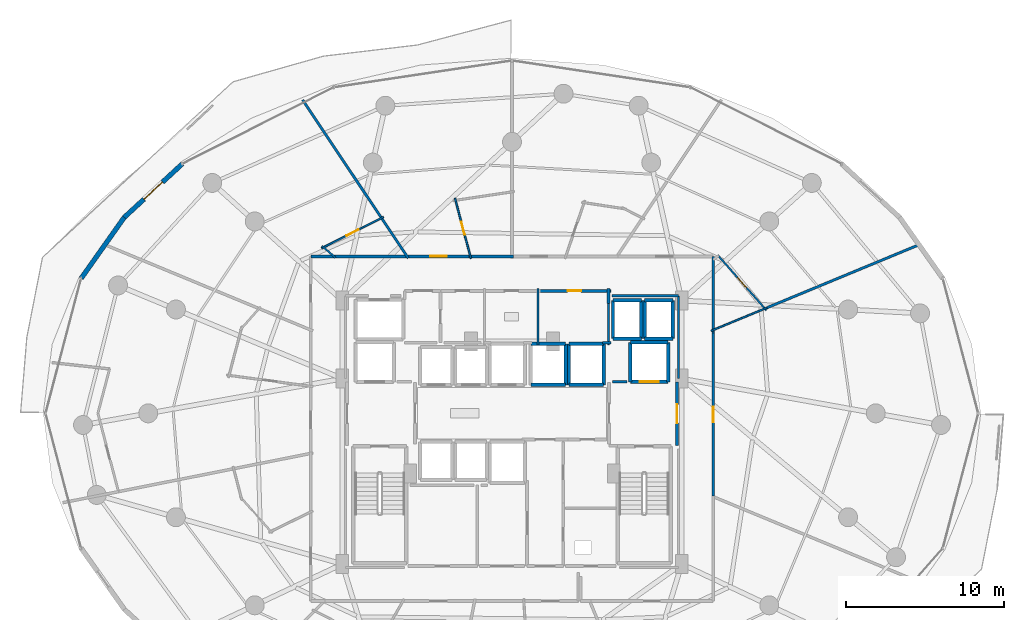
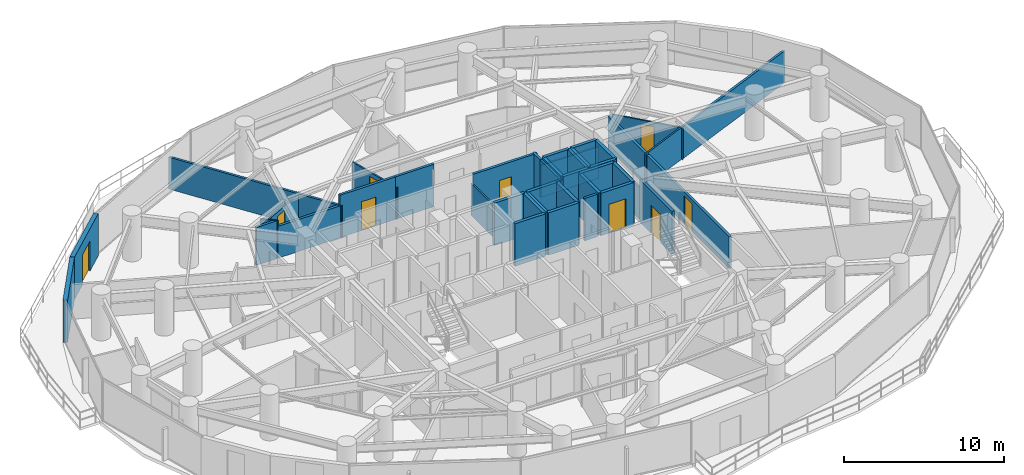
# One storey, part 30 of 35: 44 walls, 9 doors, 9 openings.
"""IFC4 building model written with IfcOpenShell, lengths in metres."""

from ifc_helpers import new_model, si_unit, direction, frame, frame_2d, origin, place, context, subcontext, project, spatial, rectangle, extrude, material, layer, layer_set, type_object, element, fill, save


model = new_model("IFC4")

# Units and contexts
model_context = context("Model", 3, precision=1e-05, world=origin(), true_north=direction((0.0, 1.0)))
body_context = subcontext(model_context, "Body", "Model", "MODEL_VIEW")
ifc_project = project(units=[si_unit("LENGTHUNIT", "METRE"), si_unit("AREAUNIT", "SQUARE_METRE"), si_unit("VOLUMEUNIT", "CUBIC_METRE"), si_unit("PLANEANGLEUNIT", "RADIAN"), si_unit("MASSUNIT", "GRAM", prefix="KILO")], contexts=[model_context])

# Site, building, storey
site_placement = place(None, origin())
site = spatial("IfcSite", under=ifc_project, at=site_placement, CompositionType="ELEMENT")
building_placement = place(site_placement, origin())
building = spatial("IfcBuilding", under=site, at=building_placement, Name="Vorneva Point Tower", CompositionType="ELEMENT")
storey_placement = place(building_placement, frame((0.0, 0.0, 52.0)))
storey = spatial("IfcBuildingStorey", under=building, at=storey_placement, Name="L13", CompositionType="ELEMENT", Elevation=52.0)

# Wall, opening, door
ifc_material_1 = material(Name="Concrete B60 (C50/60)", Category="concrete")
ifc_layer_1 = layer(ifc_material_1, 0.5)
ifc_layer_set_1 = layer_set([ifc_layer_1], Name="Concrete B60 (C50/60)")
wall_type_1 = type_object("IfcWallType", Name="WL-CORE-500", PredefinedType="SHEAR", material=ifc_layer_set_1)
wall_1_placement = place(storey_placement, frame((45.5, 28.0, 0.0), z_axis=(0.0, 0.0, 1.0), x_axis=(1.0, 0.0, 0.0)))
wall_1 = element("IfcWall", 1, at=wall_1_placement, inside=storey, type_object=wall_type_1, Name="L13 Lift FFL2 Shaft Wall -Y", PredefinedType="SHEAR", context=body_context, shape_type="SweptSolid", body=[
    extrude(rectangle(XDim=2.39990234375, YDim=0.219970703125, at=frame_2d((1.199951171875, 0.0))), origin(), (0.0, 0.0, 1.0), 3.239990234375),
])
opening_1_placement = place(wall_1_placement, frame((0.60009765625, 0.0, 0.0)))
opening_1 = element("IfcOpeningElement", 2, at=opening_1_placement, cuts=wall_1, Name="Opening LD-02", PredefinedType="OPENING", context=body_context, shape_type="SweptSolid", body=[
    extrude(rectangle(XDim=1.199951171875, YDim=2.199951171875, at=frame_2d((0.60009765625, 1.10009765625))), frame((0.0, 0.125, 0.0), z_axis=(0.0, -1.0, 0.0), x_axis=(1.0, 0.0, 0.0)), (0.0, 0.0, 1.0), 0.249755859375),
])
ifc_material_2 = material(Name="Brushed stainless steel S304", Category="steel")
door_type_1 = type_object("IfcDoorType", Name="LD-FIRE-1200", OperationType="SLIDING_TO_LEFT", PredefinedType="DOOR", material=ifc_material_2)
door_1_placement = place(opening_1_placement, origin())
door_1 = element("IfcDoor", 3, at=door_1_placement, inside=storey, type_object=door_type_1, Name="L13 Lift FFL2 Sliding Landing Door", OperationType="SLIDING_TO_LEFT", OverallHeight=2.199951171875, OverallWidth=1.199951171875, PredefinedType="DOOR", context=body_context, shape_type="SweptSolid", body=[
    extrude(rectangle(XDim=1.199951171875, YDim=2.199951171875, at=frame_2d((0.60009765625, 1.10009765625))), frame((0.0, 0.02490234375, 0.0), z_axis=(0.0, -1.0, 0.0), x_axis=(1.0, 0.0, 0.0)), (0.0, 0.0, 1.0), 0.050048828125),
])
fill(opening_1, door_1)

# Walls
wall_2_placement = place(storey_placement, frame((47.89990234375, 28.0, 0.0), z_axis=(0.0, 0.0, 1.0), x_axis=(0.0, 1.0, 0.0)))
element("IfcWall", 4, at=wall_2_placement, inside=storey, type_object=wall_type_1, Name="L13 Lift FFL2 Shaft Wall +X", PredefinedType="SHEAR", context=body_context, shape_type="SweptSolid", body=[
    extrude(rectangle(XDim=2.5, YDim=0.219970703125, at=frame_2d((1.25, 0.0))), origin(), (0.0, 0.0, 1.0), 3.239990234375),
])
wall_3_placement = place(storey_placement, frame((47.89990234375, 30.5, 0.0), z_axis=(0.0, 0.0, 1.0), x_axis=(-1.0, 0.0, 0.0)))
element("IfcWall", 5, at=wall_3_placement, inside=storey, type_object=wall_type_1, Name="L13 Lift FFL2 Shaft Wall +Y", PredefinedType="SHEAR", context=body_context, shape_type="SweptSolid", body=[
    extrude(rectangle(XDim=2.39990234375, YDim=0.219970703125, at=frame_2d((1.199951171875, 0.0))), origin(), (0.0, 0.0, 1.0), 3.239990234375),
])
wall_4_placement = place(storey_placement, frame((45.5, 30.5, 0.0), z_axis=(0.0, 0.0, 1.0), x_axis=(0.0, -1.0, 0.0)))
element("IfcWall", 6, at=wall_4_placement, inside=storey, type_object=wall_type_1, Name="L13 Lift FFL2 Shaft Wall -X", PredefinedType="SHEAR", context=body_context, shape_type="SweptSolid", body=[
    extrude(rectangle(XDim=2.5, YDim=0.219970703125, at=frame_2d((1.25, 0.0))), origin(), (0.0, 0.0, 1.0), 3.239990234375),
])

# Wall, opening, door
ifc_material_3 = material(Name="Precast concrete B50 (C40/50)", Category="concrete")
ifc_layer_2 = layer(ifc_material_3, 0.300048828125)
ifc_layer_set_2 = layer_set([ifc_layer_2], Name="Precast concrete B50 (C40/50)")
wall_type_2 = type_object("IfcWallType", Name="WL-EXT-300", PredefinedType="STANDARD", material=ifc_layer_set_2)
wall_5_placement = place(storey_placement, frame((17.10498046875, 41.8037109375, 0.0), z_axis=(0.0, 0.0, 1.0), x_axis=(-0.735342629635, -0.677695519419, 0.0)))
wall_5 = element("IfcWall", 7, at=wall_5_placement, inside=storey, type_object=wall_type_2, Name="L13 Pale-Metal Facade Spandrel Wall 07.1", PredefinedType="STANDARD", context=body_context, shape_type="SweptSolid", body=[
    extrude(rectangle(XDim=4.997314453125, YDim=0.300048828125, at=frame_2d((2.49853515625, 0.0))), origin(), (0.0, 0.0, 1.0), 3.239990234375),
])
opening_2_placement = place(wall_5_placement, frame((1.69873046875, 0.0, 0.0)))
opening_2 = element("IfcOpeningElement", 8, at=opening_2_placement, cuts=wall_5, Name="Opening BD-01", PredefinedType="OPENING", context=body_context, shape_type="SweptSolid", body=[
    extrude(rectangle(XDim=1.60009765625, YDim=2.300048828125, at=frame_2d((0.800048828125, 1.14990234375))), frame((0.0, 0.1650390625, 0.0), z_axis=(0.0, -1.0, 0.0), x_axis=(1.0, 0.0, 0.0)), (0.0, 0.0, 1.0), 0.329833984375),
])
ifc_material_4 = material(Name="Pale anodised aluminium", Category="aluminium")
door_type_2 = type_object("IfcDoorType", Name="DR-BAL-1600", OperationType="SLIDING_TO_LEFT", PredefinedType="DOOR", material=ifc_material_4)
door_2_placement = place(opening_2_placement, origin())
door_2 = element("IfcDoor", 9, at=door_2_placement, inside=storey, type_object=door_type_2, Name="L13 Balcony Terrace Access Door 07", OperationType="SLIDING_TO_LEFT", OverallHeight=2.300048828125, OverallWidth=1.60009765625, PredefinedType="DOOR", context=body_context, shape_type="SweptSolid", body=[
    extrude(rectangle(XDim=1.60009765625, YDim=2.300048828125, at=frame_2d((0.800048828125, 1.14990234375))), frame((0.0, 0.02490234375, 0.0), z_axis=(0.0, -1.0, 0.0), x_axis=(1.0, 0.0, 0.0)), (0.0, 0.0, 1.0), 0.050048828125),
])
fill(opening_2, door_2)

# Walls
wall_6_placement = place(storey_placement, frame((13.43017578125, 38.4169921875, 0.0), z_axis=(0.0, 0.0, 1.0), x_axis=(-0.577130815624, -0.816651713803, 0.0)))
element("IfcWall", 10, at=wall_6_placement, inside=storey, type_object=wall_type_2, Name="L13 Pale-Metal Facade Spandrel Wall 07.2", PredefinedType="STANDARD", context=body_context, shape_type="SweptSolid", body=[
    extrude(rectangle(XDim=4.7314453125, YDim=0.300048828125, at=frame_2d((2.36572265625, 0.0))), origin(), (0.0, 0.0, 1.0), 3.239990234375),
])
ifc_material_5 = material(Name="Fire-rated acoustic gypsum stud partition", Category="gypsum")
ifc_layer_3 = layer(ifc_material_5, 0.110107421875)
ifc_layer_set_3 = layer_set([ifc_layer_3], Name="Fire-rated acoustic gypsum stud partition")
wall_type_3 = type_object("IfcWallType", Name="WL-PART-110", PredefinedType="PARTITIONING", material=ifc_layer_set_3)
wall_7_placement = place(storey_placement, frame((39.64990234375, 30.340087890625, 0.0), z_axis=(0.0, 0.0, 1.0), x_axis=(0.0, 1.0, 0.0)))
element("IfcWall", 11, at=wall_7_placement, inside=storey, type_object=wall_type_3, Name="L13 Interior Partition 019", PredefinedType="PARTITIONING", context=body_context, shape_type="SweptSolid", body=[
    extrude(rectangle(XDim=3.559814453125, YDim=0.110107421875, at=frame_2d((1.77978515625, 0.0))), origin(), (0.0, 0.0, 1.0), 2.431884765625),
])

# Wall, opening, door
wall_8_placement = place(storey_placement, frame((51.03125, 36.02978515625, 0.0), z_axis=(0.0, 0.0, 1.0), x_axis=(0.662106207726, -0.749410014405, 0.0)))
wall_8 = element("IfcWall", 12, at=wall_8_placement, inside=storey, type_object=wall_type_3, Name="L13 Interior Partition 050", PredefinedType="PARTITIONING", context=body_context, shape_type="SweptSolid", body=[
    extrude(rectangle(XDim=4.66455078125, YDim=0.110107421875, at=frame_2d((2.332275390625, 0.0))), origin(), (0.0, 0.0, 1.0), 2.431884765625),
])
opening_3_placement = place(wall_8_placement, frame((1.9072265625, 0.0, 0.0)))
opening_3 = element("IfcOpeningElement", 13, at=opening_3_placement, cuts=wall_8, Name="Opening ID-02", PredefinedType="OPENING", context=body_context, shape_type="SweptSolid", body=[
    extrude(rectangle(XDim=0.85009765625, YDim=2.10009765625, at=frame_2d((0.425048828125, 1.050048828125))), frame((0.0, 0.06982421875, 0.0), z_axis=(0.0, -1.0, 0.0), x_axis=(1.0, 0.0, 0.0)), (0.0, 0.0, 1.0), 0.139892578125),
])
ifc_material_6 = material(Name="Engineered oak fire-rated door leaf", Category="wood")
door_type_3 = type_object("IfcDoorType", Name="DR-BATH-850", OperationType="NOTDEFINED", PredefinedType="DOOR", material=ifc_material_6)
door_3_placement = place(opening_3_placement, origin())
door_3 = element("IfcDoor", 14, at=door_3_placement, inside=storey, type_object=door_type_3, Name="L13 Door Corner Suite L13-01 / En-Suite Bathroom L13-01", OperationType="SINGLE_SWING_LEFT", OverallHeight=2.10009765625, OverallWidth=0.85009765625, PredefinedType="DOOR", context=body_context, shape_type="SweptSolid", body=[
    extrude(rectangle(XDim=0.85009765625, YDim=2.10009765625, at=frame_2d((0.425048828125, 1.050048828125))), frame((0.0, 0.02490234375, 0.0), z_axis=(0.0, -1.0, 0.0), x_axis=(1.0, 0.0, 0.0)), (0.0, 0.0, 1.0), 0.050048828125),
])
fill(opening_3, door_3)

# Wall
wall_9_placement = place(storey_placement, frame((54.15625, 32.692626953125, 0.0), z_axis=(0.0, 0.0, 1.0), x_axis=(-0.923803754276, -0.382866326002, 0.0)))
element("IfcWall", 15, at=wall_9_placement, inside=storey, type_object=wall_type_3, Name="L13 Interior Partition 051", PredefinedType="PARTITIONING", context=body_context, shape_type="SweptSolid", body=[
    extrude(rectangle(XDim=3.8271484375, YDim=0.110107421875, at=frame_2d((1.91357421875, 0.0))), origin(), (0.0, 0.0, 1.0), 2.431884765625),
])

# Wall, opening, door
wall_10_placement = place(storey_placement, frame((35.39794921875, 35.814697265625, 0.0), z_axis=(0.0, 0.0, 1.0), x_axis=(-0.256396995263, 0.966571560113, 0.0)))
wall_10 = element("IfcWall", 16, at=wall_10_placement, inside=storey, type_object=wall_type_3, Name="L13 Interior Partition 060", PredefinedType="PARTITIONING", context=body_context, shape_type="SweptSolid", body=[
    extrude(rectangle(XDim=3.95068359375, YDim=0.110107421875, at=frame_2d((1.975341796875, 0.0))), origin(), (0.0, 0.0, 1.0), 2.431884765625),
])
opening_4_placement = place(wall_10_placement, frame((1.55029296875, 0.0, 0.0)))
opening_4 = element("IfcOpeningElement", 17, at=opening_4_placement, cuts=wall_10, Name="Opening ID-02", PredefinedType="OPENING", context=body_context, shape_type="SweptSolid", body=[
    extrude(rectangle(XDim=0.85009765625, YDim=2.10009765625, at=frame_2d((0.425048828125, 1.050048828125))), frame((0.0, 0.06982421875, 0.0), z_axis=(0.0, -1.0, 0.0), x_axis=(1.0, 0.0, 0.0)), (0.0, 0.0, 1.0), 0.139892578125),
])
door_4_placement = place(opening_4_placement, origin())
door_4 = element("IfcDoor", 18, at=door_4_placement, inside=storey, type_object=door_type_3, Name="L13 Door Executive Suite L13-03 / En-Suite Bathroom L13-03", OperationType="SINGLE_SWING_LEFT", OverallHeight=2.10009765625, OverallWidth=0.85009765625, PredefinedType="DOOR", context=body_context, shape_type="SweptSolid", body=[
    extrude(rectangle(XDim=0.85009765625, YDim=2.10009765625, at=frame_2d((0.425048828125, 1.050048828125))), frame((0.0, 0.02490234375, 0.0), z_axis=(0.0, -1.0, 0.0), x_axis=(1.0, 0.0, 0.0)), (0.0, 0.0, 1.0), 0.050048828125),
])
fill(opening_4, door_4)

# Wall
wall_11_placement = place(storey_placement, frame((26.819091796875, 35.857421875, 0.0), z_axis=(0.0, 0.0, 1.0), x_axis=(-0.750624975639, 0.660728496394, 0.0)))
element("IfcWall", 19, at=wall_11_placement, inside=storey, type_object=wall_type_3, Name="L13 Interior Partition 063", PredefinedType="PARTITIONING", context=body_context, shape_type="SweptSolid", body=[
    extrude(rectangle(XDim=1.148681640625, YDim=0.110107421875, at=frame_2d((0.57421875, 0.0))), origin(), (0.0, 0.0, 1.0), 2.885986328125),
])

# Wall, opening, door
wall_12_placement = place(storey_placement, frame((25.93701171875, 36.460693359375, 0.0), z_axis=(0.0, 0.0, 1.0), x_axis=(0.892461080662, 0.451124394711, 0.0)))
wall_12 = element("IfcWall", 20, at=wall_12_placement, inside=storey, type_object=wall_type_3, Name="L13 Interior Partition 064", PredefinedType="PARTITIONING", context=body_context, shape_type="SweptSolid", body=[
    extrude(rectangle(XDim=4.39013671875, YDim=0.110107421875, at=frame_2d((2.195068359375, 0.0))), origin(), (0.0, 0.0, 1.0), 2.431884765625),
])
opening_5_placement = place(wall_12_placement, frame((1.77001953125, 0.0, 0.0)))
opening_5 = element("IfcOpeningElement", 21, at=opening_5_placement, cuts=wall_12, Name="Opening ID-02", PredefinedType="OPENING", context=body_context, shape_type="SweptSolid", body=[
    extrude(rectangle(XDim=0.85009765625, YDim=2.10009765625, at=frame_2d((0.425048828125, 1.050048828125))), frame((0.0, 0.06982421875, 0.0), z_axis=(0.0, -1.0, 0.0), x_axis=(1.0, 0.0, 0.0)), (0.0, 0.0, 1.0), 0.139892578125),
])
door_5_placement = place(opening_5_placement, origin())
door_5 = element("IfcDoor", 22, at=door_5_placement, inside=storey, type_object=door_type_3, Name="L13 Door Corner Suite L13-04 / En-Suite Bathroom L13-04", OperationType="SINGLE_SWING_RIGHT", OverallHeight=2.10009765625, OverallWidth=0.85009765625, PredefinedType="DOOR", context=body_context, shape_type="SweptSolid", body=[
    extrude(rectangle(XDim=0.85009765625, YDim=2.10009765625, at=frame_2d((0.425048828125, 1.050048828125))), frame((0.0, 0.02490234375, 0.0), z_axis=(0.0, -1.0, 0.0), x_axis=(1.0, 0.0, 0.0)), (0.0, 0.0, 1.0), 0.050048828125),
])
fill(opening_5, door_5)

# Walls
ifc_layer_4 = layer(ifc_material_5, 0.139892578125)
ifc_layer_set_4 = layer_set([ifc_layer_4], Name="Fire-rated acoustic gypsum stud partition")
wall_type_4 = type_object("IfcWallType", Name="WL-PART-140", PredefinedType="PARTITIONING", material=ifc_layer_set_4)
wall_13_placement = place(storey_placement, frame((43.735107421875, 30.47998046875, 0.0), z_axis=(0.0, 0.0, 1.0), x_axis=(1.0, 0.0, 0.0)))
element("IfcWall", 23, at=wall_13_placement, inside=storey, type_object=wall_type_4, Name="L13 Interior Closure Partition 095", PredefinedType="PARTITIONING", context=body_context, shape_type="SweptSolid", body=[
    extrude(rectangle(XDim=0.52490234375, YDim=0.139892578125, at=frame_2d((0.262451171875, 0.0))), origin(), (0.0, 0.0, 1.0), 3.239990234375),
])
wall_14_placement = place(storey_placement, frame((44.1201171875, 30.340087890625, 0.0), z_axis=(0.0, 0.0, 1.0), x_axis=(0.0, 1.0, 0.0)))
element("IfcWall", 24, at=wall_14_placement, inside=storey, type_object=wall_type_4, Name="L13 Interior Closure Partition 096", PredefinedType="PARTITIONING", context=body_context, shape_type="SweptSolid", body=[
    extrude(rectangle(XDim=2.659912109375, YDim=0.139892578125, at=frame_2d((1.330078125, 0.0))), origin(), (0.0, 0.0, 1.0), 3.239990234375),
])
wall_15_placement = place(storey_placement, frame((44.340087890625, 33.449951171875, 0.0), z_axis=(0.0, 0.0, 1.0), x_axis=(1.0, 0.0, 0.0)))
element("IfcWall", 25, at=wall_15_placement, inside=storey, type_object=wall_type_4, Name="L13 Interior Closure Partition 099", PredefinedType="PARTITIONING", context=body_context, shape_type="SweptSolid", body=[
    extrude(rectangle(XDim=4.2099609375, YDim=0.139892578125, at=frame_2d((2.10498046875, 0.0))), origin(), (0.0, 0.0, 1.0), 2.431884765625),
])
wall_16_placement = place(storey_placement, frame((48.550048828125, 33.449951171875, 0.0), z_axis=(0.0, 0.0, 1.0), x_axis=(0.0, -1.0, 0.0)))
element("IfcWall", 26, at=wall_16_placement, inside=storey, type_object=wall_type_4, Name="L13 Interior Closure Partition 100", PredefinedType="PARTITIONING", context=body_context, shape_type="SweptSolid", body=[
    extrude(rectangle(XDim=5.25390625, YDim=0.139892578125, at=frame_2d((2.626953125, 0.0))), origin(), (0.0, 0.0, 1.0), 2.431884765625),
])
ifc_layer_5 = layer(ifc_material_5, 0.159912109375)
ifc_layer_set_5 = layer_set([ifc_layer_5], Name="Fire-rated acoustic gypsum stud partition")
wall_type_5 = type_object("IfcWallType", Name="WL-PART-160", PredefinedType="PARTITIONING", material=ifc_layer_set_5)
wall_17_placement = place(storey_placement, frame((54.156494140625, 32.692138671875, 0.0), z_axis=(0.0, 0.0, 1.0), x_axis=(0.923866486063, 0.38271492776, 0.0)))
element("IfcWall", 27, at=wall_17_placement, inside=storey, type_object=wall_type_5, Name="L13 Interior Partition 053", PredefinedType="PARTITIONING", context=body_context, shape_type="SweptSolid", body=[
    extrude(rectangle(XDim=10.4306640625, YDim=0.159912109375, at=frame_2d((5.21533203125, 0.0))), origin(), (0.0, 0.0, 1.0), 2.431884765625),
])
wall_18_placement = place(storey_placement, frame((24.73291015625, 45.85595703125, 0.0), z_axis=(0.0, 0.0, 1.0), x_axis=(0.555564858458, -0.831473203444, 0.0)))
element("IfcWall", 28, at=wall_18_placement, inside=storey, type_object=wall_type_5, Name="L13 Interior Partition 061", PredefinedType="PARTITIONING", context=body_context, shape_type="SweptSolid", body=[
    extrude(rectangle(XDim=9.053955078125, YDim=0.159912109375, at=frame_2d((4.52685546875, 0.0))), origin(), (0.0, 0.0, 1.0), 2.431884765625),
])
wall_19_placement = place(storey_placement, frame((29.68505859375, 38.4443359375, 0.0), z_axis=(0.0, 0.0, 1.0), x_axis=(0.555596981897, -0.831451738652, 0.0)))
element("IfcWall", 29, at=wall_19_placement, inside=storey, type_object=wall_type_5, Name="L13 Interior Partition 062", PredefinedType="PARTITIONING", context=body_context, shape_type="SweptSolid", body=[
    extrude(rectangle(XDim=3.14013671875, YDim=0.159912109375, at=frame_2d((1.570068359375, 0.0))), origin(), (0.0, 0.0, 1.0), 2.431884765625),
])

# Wall, opening, door
ifc_material_7 = material(Name="Autoclaved aerated concrete blockwork", Category="masonry")
ifc_layer_6 = layer(ifc_material_7, 0.179931640625)
ifc_layer_set_6 = layer_set([ifc_layer_6], Name="Autoclaved aerated concrete blockwork")
wall_type_6 = type_object("IfcWallType", Name="WL-PART-180", PredefinedType="PARTITIONING", material=ifc_layer_set_6)
wall_20_placement = place(storey_placement, frame((48.449951171875, 23.949951171875, 0.0), z_axis=(0.0, 0.0, 1.0), x_axis=(0.0, 1.0, 0.0)))
wall_20 = element("IfcWall", 30, at=wall_20_placement, inside=storey, type_object=wall_type_6, Name="L13 Interior Partition 005", PredefinedType="PARTITIONING", context=body_context, shape_type="SweptSolid", body=[
    extrude(rectangle(XDim=4.050048828125, YDim=0.179931640625, at=frame_2d((2.02490234375, 0.0))), origin(), (0.0, 0.0, 1.0), 3.239990234375),
])
opening_6_placement = place(wall_20_placement, frame((1.425048828125, 0.0, 0.0)))
opening_6 = element("IfcOpeningElement", 31, at=opening_6_placement, cuts=wall_20, Name="Opening FD-02", PredefinedType="OPENING", context=body_context, shape_type="SweptSolid", body=[
    extrude(rectangle(XDim=1.199951171875, YDim=2.14990234375, at=frame_2d((0.60009765625, 1.074951171875))), frame((0.0, 0.10498046875, 0.0), z_axis=(0.0, -1.0, 0.0), x_axis=(1.0, 0.0, 0.0)), (0.0, 0.0, 1.0), 0.209716796875),
])
ifc_material_8 = material(Name="Fire-rated powder-coated steel", Category="steel")
door_type_4 = type_object("IfcDoorType", Name="DR-FFL-1200", OperationType="NOTDEFINED", PredefinedType="DOOR", material=ifc_material_8)
door_6_placement = place(opening_6_placement, origin())
door_6 = element("IfcDoor", 32, at=door_6_placement, inside=storey, type_object=door_type_4, Name="L13 Door East Firefighting Lobby / L13 Circulation Corridor", OperationType="SINGLE_SWING_LEFT", OverallHeight=2.14990234375, OverallWidth=1.199951171875, PredefinedType="DOOR", context=body_context, shape_type="SweptSolid", body=[
    extrude(rectangle(XDim=1.199951171875, YDim=2.14990234375, at=frame_2d((0.60009765625, 1.074951171875))), frame((0.0, 0.02490234375, 0.0), z_axis=(0.0, -1.0, 0.0), x_axis=(1.0, 0.0, 0.0)), (0.0, 0.0, 1.0), 0.050048828125),
])
fill(opening_6, door_6)

wall_21_placement = place(storey_placement, frame((44.260009765625, 33.760009765625, 0.0), z_axis=(0.0, 0.0, 1.0), x_axis=(-1.0, 0.0, 0.0)))
wall_21 = element("IfcWall", 33, at=wall_21_placement, inside=storey, type_object=wall_type_6, Name="L13 Interior Partition 021", PredefinedType="PARTITIONING", context=body_context, shape_type="SweptSolid", body=[
    extrude(rectangle(XDim=4.610107421875, YDim=0.179931640625, at=frame_2d((2.30517578125, 0.0))), origin(), (0.0, 0.0, 1.0), 3.239990234375),
])
opening_7_placement = place(wall_21_placement, frame((1.8798828125, 0.0, 0.0)))
opening_7 = element("IfcOpeningElement", 34, at=opening_7_placement, cuts=wall_21, Name="Opening ID-02", PredefinedType="OPENING", context=body_context, shape_type="SweptSolid", body=[
    extrude(rectangle(XDim=0.85009765625, YDim=2.10009765625, at=frame_2d((0.425048828125, 1.050048828125))), frame((0.0, 0.10498046875, 0.0), z_axis=(0.0, -1.0, 0.0), x_axis=(1.0, 0.0, 0.0)), (0.0, 0.0, 1.0), 0.209716796875),
])
door_7_placement = place(opening_7_placement, origin())
door_7 = element("IfcDoor", 35, at=door_7_placement, inside=storey, type_object=door_type_3, Name="L13 Door Public WC / L13 Circulation Corridor", OperationType="SINGLE_SWING_RIGHT", OverallHeight=2.10009765625, OverallWidth=0.85009765625, PredefinedType="DOOR", context=body_context, shape_type="SweptSolid", body=[
    extrude(rectangle(XDim=0.85009765625, YDim=2.10009765625, at=frame_2d((0.425048828125, 1.050048828125))), frame((0.0, 0.02490234375, 0.0), z_axis=(0.0, -1.0, 0.0), x_axis=(1.0, 0.0, 0.0)), (0.0, 0.0, 1.0), 0.050048828125),
])
fill(opening_7, door_7)

# Walls
wall_22_placement = place(storey_placement, frame((44.1201171875, 32.969970703125, 0.0), z_axis=(0.0, 0.0, 1.0), x_axis=(0.0, 1.0, 0.0)))
element("IfcWall", 36, at=wall_22_placement, inside=storey, type_object=wall_type_6, Name="L13 Interior Partition 022", PredefinedType="PARTITIONING", context=body_context, shape_type="SweptSolid", body=[
    extrude(rectangle(XDim=0.929931640625, YDim=0.179931640625, at=frame_2d((0.46484375, 0.0))), origin(), (0.0, 0.0, 1.0), 3.239990234375),
])
wall_23_placement = place(storey_placement, frame((50.75, 31.0810546875, 0.0), z_axis=(0.0, 0.0, 1.0), x_axis=(0.0, 1.0, 0.0)))
element("IfcWall", 37, at=wall_23_placement, inside=storey, type_object=wall_type_6, Name="L13 Interior Partition 027", PredefinedType="PARTITIONING", context=body_context, shape_type="SweptSolid", body=[
    extrude(rectangle(XDim=4.864990234375, YDim=0.179931640625, at=frame_2d((2.4326171875, 0.0))), origin(), (0.0, 0.0, 1.0), 2.431884765625),
])

# Wall, opening, door
wall_24_placement = place(storey_placement, frame((35.422119140625, 35.949951171875, 0.0), z_axis=(0.0, 0.0, 1.0), x_axis=(-1.0, 0.0, 0.0)))
wall_24 = element("IfcWall", 38, at=wall_24_placement, inside=storey, type_object=wall_type_6, Name="L13 Interior Partition 030", PredefinedType="PARTITIONING", context=body_context, shape_type="SweptSolid", body=[
    extrude(rectangle(XDim=4.14208984375, YDim=0.179931640625, at=frame_2d((2.071044921875, 0.0))), origin(), (0.0, 0.0, 1.0), 3.239990234375),
])
opening_8_placement = place(wall_24_placement, frame((1.5458984375, 0.0, 0.0)))
opening_8 = element("IfcOpeningElement", 39, at=opening_8_placement, cuts=wall_24, Name="Opening UD-02", PredefinedType="OPENING", context=body_context, shape_type="SweptSolid", body=[
    extrude(rectangle(XDim=1.050048828125, YDim=2.199951171875, at=frame_2d((0.52490234375, 1.10009765625))), frame((0.0, 0.10498046875, 0.0), z_axis=(0.0, -1.0, 0.0), x_axis=(1.0, 0.0, 0.0)), (0.0, 0.0, 1.0), 0.209716796875),
])
door_type_5 = type_object("IfcDoorType", Name="DR-SUITE-1050", OperationType="NOTDEFINED", PredefinedType="DOOR", material=ifc_material_6)
door_8_placement = place(opening_8_placement, origin())
door_8 = element("IfcDoor", 40, at=door_8_placement, inside=storey, type_object=door_type_5, Name="L13 Door L13 Circulation Corridor / Executive Suite L13-03", OperationType="SINGLE_SWING_LEFT", OverallHeight=2.199951171875, OverallWidth=1.050048828125, PredefinedType="DOOR", context=body_context, shape_type="SweptSolid", body=[
    extrude(rectangle(XDim=1.050048828125, YDim=2.199951171875, at=frame_2d((0.52490234375, 1.10009765625))), frame((0.0, 0.02490234375, 0.0), z_axis=(0.0, -1.0, 0.0), x_axis=(1.0, 0.0, 0.0)), (0.0, 0.0, 1.0), 0.050048828125),
])
fill(opening_8, door_8)

# Walls
wall_25_placement = place(storey_placement, frame((38.080078125, 35.949951171875, 0.0), z_axis=(0.0, 0.0, 1.0), x_axis=(-1.0, 0.0, 0.0)))
element("IfcWall", 41, at=wall_25_placement, inside=storey, type_object=wall_type_6, Name="L13 Interior Partition 031", PredefinedType="PARTITIONING", context=body_context, shape_type="SweptSolid", body=[
    extrude(rectangle(XDim=2.798095703125, YDim=0.179931640625, at=frame_2d((1.39892578125, 0.0))), origin(), (0.0, 0.0, 1.0), 3.239990234375),
])
wall_26_placement = place(storey_placement, frame((26.77392578125, 35.949951171875, 0.0), z_axis=(0.0, 0.0, 1.0), x_axis=(-1.0, 0.0, 0.0)))
element("IfcWall", 42, at=wall_26_placement, inside=storey, type_object=wall_type_6, Name="L13 Interior Partition 032", PredefinedType="PARTITIONING", context=body_context, shape_type="SweptSolid", body=[
    extrude(rectangle(XDim=1.52392578125, YDim=0.179931640625, at=frame_2d((0.761962890625, 0.0))), origin(), (0.0, 0.0, 1.0), 2.885986328125),
])
wall_27_placement = place(storey_placement, frame((31.419921875, 35.949951171875, 0.0), z_axis=(0.0, 0.0, 1.0), x_axis=(-1.0, 0.0, 0.0)))
element("IfcWall", 43, at=wall_27_placement, inside=storey, type_object=wall_type_6, Name="L13 Interior Partition 034", PredefinedType="PARTITIONING", context=body_context, shape_type="SweptSolid", body=[
    extrude(rectangle(XDim=4.785888671875, YDim=0.179931640625, at=frame_2d((2.39306640625, 0.0))), origin(), (0.0, 0.0, 1.0), 2.431884765625),
])

# Wall, opening, door
wall_28_placement = place(storey_placement, frame((50.75, 20.779052734375, 0.0), z_axis=(0.0, 0.0, 1.0), x_axis=(0.0, 1.0, 0.0)))
wall_28 = element("IfcWall", 44, at=wall_28_placement, inside=storey, type_object=wall_type_6, Name="L13 Interior Partition 049", PredefinedType="PARTITIONING", context=body_context, shape_type="SweptSolid", body=[
    extrude(rectangle(XDim=10.302001953125, YDim=0.179931640625, at=frame_2d((5.15087890625, 0.0))), origin(), (0.0, 0.0, 1.0), 2.431884765625),
])
opening_9_placement = place(wall_28_placement, frame((4.65087890625, 0.0, 0.0)))
opening_9 = element("IfcOpeningElement", 45, at=opening_9_placement, cuts=wall_28, Name="Opening UD-01", PredefinedType="OPENING", context=body_context, shape_type="SweptSolid", body=[
    extrude(rectangle(XDim=1.0, YDim=2.14990234375, at=frame_2d((0.5, 1.074951171875))), frame((0.0, 0.10498046875, 0.0), z_axis=(0.0, -1.0, 0.0), x_axis=(1.0, 0.0, 0.0)), (0.0, 0.0, 1.0), 0.209716796875),
])
door_type_6 = type_object("IfcDoorType", Name="DR-UNIT-1000", OperationType="NOTDEFINED", PredefinedType="DOOR", material=ifc_material_6)
door_9_placement = place(opening_9_placement, origin())
door_9 = element("IfcDoor", 46, at=door_9_placement, inside=storey, type_object=door_type_6, Name="L13 Door L13 Circulation Corridor / Hotel Club Lounge L13-10", OperationType="SINGLE_SWING_RIGHT", OverallHeight=2.14990234375, OverallWidth=1.0, PredefinedType="DOOR", context=body_context, shape_type="SweptSolid", body=[
    extrude(rectangle(XDim=1.0, YDim=2.14990234375, at=frame_2d((0.5, 1.074951171875))), frame((0.0, 0.02490234375, 0.0), z_axis=(0.0, -1.0, 0.0), x_axis=(1.0, 0.0, 0.0)), (0.0, 0.0, 1.0), 0.050048828125),
])
fill(opening_9, door_9)

# Walls
wall_29_placement = place(storey_placement, frame((45.280029296875, 28.0, 0.0), z_axis=(0.0, 0.0, 1.0), x_axis=(-1.0, 0.0, 0.0)))
element("IfcWall", 47, at=wall_29_placement, inside=storey, type_object=wall_type_6, Name="L13 Interior Closure Partition 090", PredefinedType="PARTITIONING", context=body_context, shape_type="SweptSolid", body=[
    extrude(rectangle(XDim=0.9150390625, YDim=0.179931640625, at=frame_2d((0.45751953125, 0.0))), origin(), (0.0, 0.0, 1.0), 3.239990234375),
])
ifc_material_9 = material(Name="Concrete B50 (C40/50)", Category="concrete")
ifc_layer_7 = layer(ifc_material_9, 0.219970703125)
ifc_layer_set_7 = layer_set([ifc_layer_7], Name="Concrete B50 (C40/50)")
wall_type_7 = type_object("IfcWallType", Name="WL-SHFT-220", PredefinedType="SOLIDWALL", material=ifc_layer_set_7)
wall_30_placement = place(storey_placement, frame((39.199951171875, 27.800048828125, 0.0), z_axis=(0.0, 0.0, 1.0), x_axis=(1.0, 0.0, 0.0)))
element("IfcWall", 48, at=wall_30_placement, inside=storey, type_object=wall_type_7, Name="L13 Lift PL7 Shaft Wall -Y", PredefinedType="SOLIDWALL", context=body_context, shape_type="SweptSolid", body=[
    extrude(rectangle(XDim=2.199951171875, YDim=0.219970703125, at=frame_2d((1.10009765625, 0.0))), origin(), (0.0, 0.0, 1.0), 3.239990234375),
])
wall_31_placement = place(storey_placement, frame((41.39990234375, 27.800048828125, 0.0), z_axis=(0.0, 0.0, 1.0), x_axis=(0.0, 1.0, 0.0)))
element("IfcWall", 49, at=wall_31_placement, inside=storey, type_object=wall_type_7, Name="L13 Lift PL7 Shaft Wall +X", PredefinedType="SOLIDWALL", context=body_context, shape_type="SweptSolid", body=[
    extrude(rectangle(XDim=2.599853515625, YDim=0.219970703125, at=frame_2d((1.2998046875, 0.0))), origin(), (0.0, 0.0, 1.0), 3.239990234375),
])
for number, where, z_axis, x_axis, name in (
    (50, (41.39990234375, 30.39990234375, 0.0), (0.0, 0.0, 1.0), (-1.0, 0.0, 0.0), "L13 Lift PL7 Shaft Wall +Y"),
    (51, (41.60009765625, 27.800048828125, 0.0), (0.0, 0.0, 1.0), (1.0, 0.0, 0.0), "L13 Lift PL8 Shaft Wall -Y"),
):
    element("IfcWall", number, at=place(storey_placement, frame(where, z_axis=z_axis, x_axis=x_axis)), inside=storey, type_object=wall_type_7, Name=name, PredefinedType="SOLIDWALL", context=body_context, shape_type="SweptSolid", body=[
        extrude(rectangle(XDim=2.199951171875, YDim=0.219970703125, at=frame_2d((1.10009765625, 0.0))), origin(), (0.0, 0.0, 1.0), 3.239990234375),
    ])
wall_32_placement = place(storey_placement, frame((43.800048828125, 27.800048828125, 0.0), z_axis=(0.0, 0.0, 1.0), x_axis=(0.0, 1.0, 0.0)))
element("IfcWall", 52, at=wall_32_placement, inside=storey, type_object=wall_type_7, Name="L13 Lift PL8 Shaft Wall +X", PredefinedType="SOLIDWALL", context=body_context, shape_type="SweptSolid", body=[
    extrude(rectangle(XDim=2.599853515625, YDim=0.219970703125, at=frame_2d((1.2998046875, 0.0))), origin(), (0.0, 0.0, 1.0), 3.239990234375),
])
wall_33_placement = place(storey_placement, frame((43.800048828125, 30.39990234375, 0.0), z_axis=(0.0, 0.0, 1.0), x_axis=(-1.0, 0.0, 0.0)))
element("IfcWall", 53, at=wall_33_placement, inside=storey, type_object=wall_type_7, Name="L13 Lift PL8 Shaft Wall +Y", PredefinedType="SOLIDWALL", context=body_context, shape_type="SweptSolid", body=[
    extrude(rectangle(XDim=2.199951171875, YDim=0.219970703125, at=frame_2d((1.10009765625, 0.0))), origin(), (0.0, 0.0, 1.0), 3.239990234375),
])
wall_34_placement = place(storey_placement, frame((41.60009765625, 30.39990234375, 0.0), z_axis=(0.0, 0.0, 1.0), x_axis=(0.0, -1.0, 0.0)))
element("IfcWall", 54, at=wall_34_placement, inside=storey, type_object=wall_type_7, Name="L13 Lift PL8 Shaft Wall -X", PredefinedType="SOLIDWALL", context=body_context, shape_type="SweptSolid", body=[
    extrude(rectangle(XDim=2.599853515625, YDim=0.219970703125, at=frame_2d((1.2998046875, 0.0))), origin(), (0.0, 0.0, 1.0), 3.239990234375),
])
wall_35_placement = place(storey_placement, frame((44.39990234375, 30.739990234375, 0.0), z_axis=(0.0, 0.0, 1.0), x_axis=(1.0, 0.0, 0.0)))
element("IfcWall", 55, at=wall_35_placement, inside=storey, type_object=wall_type_7, Name="L13 Lift EX1 Shaft Wall -Y", PredefinedType="SOLIDWALL", context=body_context, shape_type="SweptSolid", body=[
    extrude(rectangle(XDim=1.800048828125, YDim=0.219970703125, at=frame_2d((0.89990234375, 0.0))), origin(), (0.0, 0.0, 1.0), 3.239990234375),
])
wall_36_placement = place(storey_placement, frame((46.199951171875, 30.739990234375, 0.0), z_axis=(0.0, 0.0, 1.0), x_axis=(0.0, 1.0, 0.0)))
element("IfcWall", 56, at=wall_36_placement, inside=storey, type_object=wall_type_7, Name="L13 Lift EX1 Shaft Wall +X", PredefinedType="SOLIDWALL", context=body_context, shape_type="SweptSolid", body=[
    extrude(rectangle(XDim=2.419921875, YDim=0.219970703125, at=frame_2d((1.2099609375, 0.0))), origin(), (0.0, 0.0, 1.0), 3.239990234375),
])
wall_37_placement = place(storey_placement, frame((46.199951171875, 33.159912109375, 0.0), z_axis=(0.0, 0.0, 1.0), x_axis=(-1.0, 0.0, 0.0)))
element("IfcWall", 57, at=wall_37_placement, inside=storey, type_object=wall_type_7, Name="L13 Lift EX1 Shaft Wall +Y", PredefinedType="SOLIDWALL", context=body_context, shape_type="SweptSolid", body=[
    extrude(rectangle(XDim=1.800048828125, YDim=0.219970703125, at=frame_2d((0.89990234375, 0.0))), origin(), (0.0, 0.0, 1.0), 3.239990234375),
])
wall_38_placement = place(storey_placement, frame((44.39990234375, 33.159912109375, 0.0), z_axis=(0.0, 0.0, 1.0), x_axis=(0.0, -1.0, 0.0)))
element("IfcWall", 58, at=wall_38_placement, inside=storey, type_object=wall_type_7, Name="L13 Lift EX1 Shaft Wall -X", PredefinedType="SOLIDWALL", context=body_context, shape_type="SweptSolid", body=[
    extrude(rectangle(XDim=2.419921875, YDim=0.219970703125, at=frame_2d((1.2099609375, 0.0))), origin(), (0.0, 0.0, 1.0), 3.239990234375),
])
wall_39_placement = place(storey_placement, frame((46.39990234375, 30.739990234375, 0.0), z_axis=(0.0, 0.0, 1.0), x_axis=(1.0, 0.0, 0.0)))
element("IfcWall", 59, at=wall_39_placement, inside=storey, type_object=wall_type_7, Name="L13 Lift EX2 Shaft Wall -Y", PredefinedType="SOLIDWALL", context=body_context, shape_type="SweptSolid", body=[
    extrude(rectangle(XDim=1.800048828125, YDim=0.219970703125, at=frame_2d((0.89990234375, 0.0))), origin(), (0.0, 0.0, 1.0), 3.239990234375),
])
wall_40_placement = place(storey_placement, frame((48.199951171875, 30.739990234375, 0.0), z_axis=(0.0, 0.0, 1.0), x_axis=(0.0, 1.0, 0.0)))
element("IfcWall", 60, at=wall_40_placement, inside=storey, type_object=wall_type_7, Name="L13 Lift EX2 Shaft Wall +X", PredefinedType="SOLIDWALL", context=body_context, shape_type="SweptSolid", body=[
    extrude(rectangle(XDim=2.419921875, YDim=0.219970703125, at=frame_2d((1.2099609375, 0.0))), origin(), (0.0, 0.0, 1.0), 3.239990234375),
])
wall_41_placement = place(storey_placement, frame((48.199951171875, 33.159912109375, 0.0), z_axis=(0.0, 0.0, 1.0), x_axis=(-1.0, 0.0, 0.0)))
element("IfcWall", 61, at=wall_41_placement, inside=storey, type_object=wall_type_7, Name="L13 Lift EX2 Shaft Wall +Y", PredefinedType="SOLIDWALL", context=body_context, shape_type="SweptSolid", body=[
    extrude(rectangle(XDim=1.800048828125, YDim=0.219970703125, at=frame_2d((0.89990234375, 0.0))), origin(), (0.0, 0.0, 1.0), 3.239990234375),
])
wall_42_placement = place(storey_placement, frame((46.39990234375, 33.159912109375, 0.0), z_axis=(0.0, 0.0, 1.0), x_axis=(0.0, -1.0, 0.0)))
element("IfcWall", 62, at=wall_42_placement, inside=storey, type_object=wall_type_7, Name="L13 Lift EX2 Shaft Wall -X", PredefinedType="SOLIDWALL", context=body_context, shape_type="SweptSolid", body=[
    extrude(rectangle(XDim=2.419921875, YDim=0.219970703125, at=frame_2d((1.2099609375, 0.0))), origin(), (0.0, 0.0, 1.0), 3.239990234375),
])

save(model, "model.ifc")
